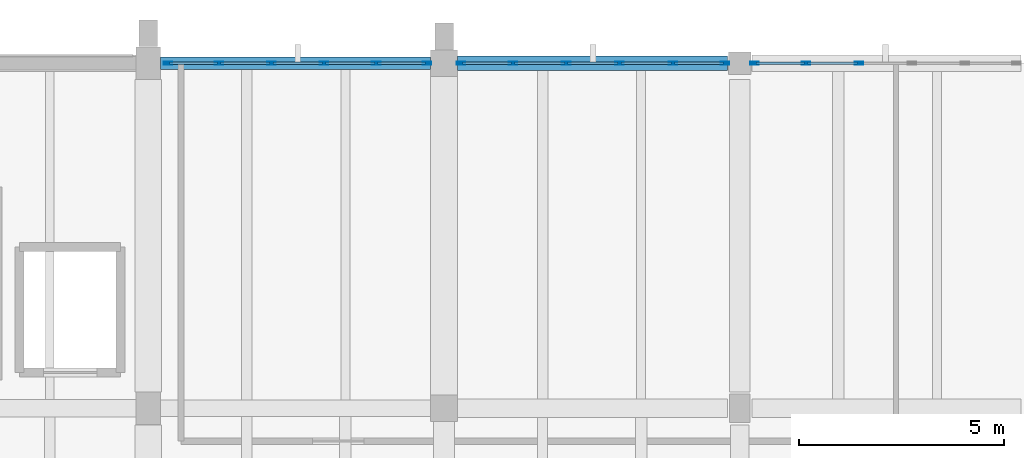
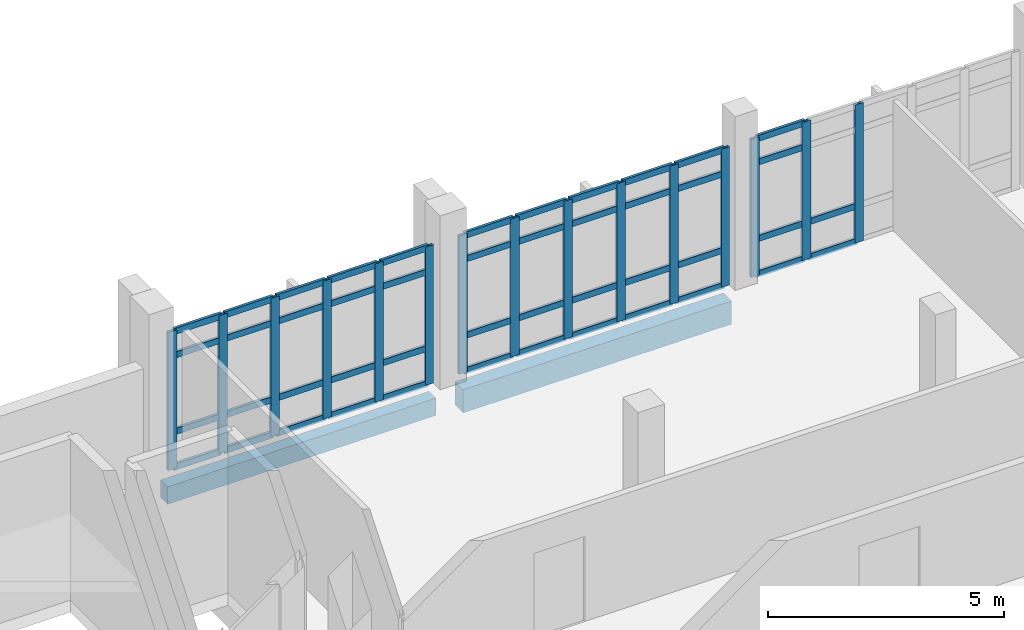
# One storey, part 36 of 57: 61 members, 2 beams, 3 elements without a shape of their own.
"""IFC4 building model written with IfcOpenShell, lengths in metres."""

import ifcopenshell
import ifcopenshell.guid

model = None  # the IFC model being written
_history = None  # IfcOwnerHistory: only IFC2X3 demands one
_inside = {}  # id of a spatial element -> (the spatial element, [elements in it])
_under = {}  # id of a project, library or spatial element -> (it, [spatial elements below it])
_declared = {}  # id of a project -> (the project, [libraries it declares])
_typed = {}  # id of a type object -> (the type object, [elements of that type])
_made_of = {}  # id of a material, layer set ... -> (it, [elements and type objects made of it])


def new_model(schema):
    """Start an empty IFC model of exactly this schema.

    Asked for "IFC4X3", IfcOpenShell would pick the latest addendum, in which some entities
    have other attributes; the version numbers below select the first issue.
    IFC2X3 requires an IfcOwnerHistory on every rooted entity: one is made here for all.
    """
    global model, _history
    if schema == "IFC4X3":
        model = ifcopenshell.file(schema_version=(4, 3, 0, 0))
    else:
        model = ifcopenshell.file(schema=schema)
    _inside.clear()
    _under.clear()
    _declared.clear()
    _typed.clear()
    _made_of.clear()
    _history = None
    if model.schema == "IFC2X3":
        org = make("IfcOrganization", Name="unknown")
        user = make(
            "IfcPersonAndOrganization",
            ThePerson=make("IfcPerson", FamilyName="unknown"),
            TheOrganization=org,
        )
        app = make(
            "IfcApplication",
            ApplicationDeveloper=org,
            Version="unknown",
            ApplicationFullName="unknown",
            ApplicationIdentifier="unknown",
        )
        _history = make(
            "IfcOwnerHistory",
            OwningUser=user,
            OwningApplication=app,
            ChangeAction="ADDED",
            CreationDate=0,
        )
    return model


def make(cls, **values):
    """One entity of the class cls with the attributes given. An attribute that is None is left unset."""
    return model.create_entity(
        cls, **{name: value for name, value in values.items() if value is not None}
    )


def rooted(cls, **values):
    """An entity with a GlobalId (a new one), such as an element, a storey or a relation."""
    return make(cls, GlobalId=ifcopenshell.guid.new(), OwnerHistory=_history, **values)


def si_unit(unit_type, name, prefix=None):
    """IfcSIUnit, for example si_unit("LENGTHUNIT", "METRE", prefix="MILLI")."""
    return make("IfcSIUnit", UnitType=unit_type, Prefix=prefix, Name=name)


def assignment(units):
    """IfcUnitAssignment: the units of a project."""
    return None if units is None else make("IfcUnitAssignment", Units=units)


def point(xyz):
    """IfcCartesianPoint."""
    return None if xyz is None else make("IfcCartesianPoint", Coordinates=xyz)


def direction(xyz):
    """IfcDirection."""
    return None if xyz is None else make("IfcDirection", DirectionRatios=xyz)


def frame(location, z_axis=None, x_axis=None):
    """IfcAxis2Placement3D, a coordinate frame: its origin and axes. An axis left out is left unset."""
    return make(
        "IfcAxis2Placement3D",
        Location=point(location),
        Axis=direction(z_axis),
        RefDirection=direction(x_axis),
    )


def frame_2d(location, x_axis=None):
    """IfcAxis2Placement2D, a coordinate frame in the plane: its origin and x axis."""
    return make(
        "IfcAxis2Placement2D", Location=point(location), RefDirection=direction(x_axis)
    )


def origin():
    """The frame at (0, 0, 0) with its axes left unset."""
    return frame((0.0, 0.0, 0.0))


def origin_2d():
    """The frame at (0, 0) in the plane with its x axis left unset."""
    return frame_2d((0.0, 0.0))


def place(relative_to, where):
    """IfcLocalPlacement: puts the frame where relative to a parent placement (None: the world)."""
    return make(
        "IfcLocalPlacement", PlacementRelTo=relative_to, RelativePlacement=where
    )


def context(
    kind, dimensions, precision=None, world=None, true_north=None, identifier=None
):
    """IfcGeometricRepresentationContext, for example the 3D "Model" context."""
    return make(
        "IfcGeometricRepresentationContext",
        ContextIdentifier=identifier,
        ContextType=kind,
        CoordinateSpaceDimension=dimensions,
        Precision=precision,
        WorldCoordinateSystem=world,
        TrueNorth=true_north,
    )


def subcontext(parent, identifier, kind, view, scale=None):
    """IfcGeometricRepresentationSubContext, for example "Body" below "Model"."""
    return make(
        "IfcGeometricRepresentationSubContext",
        ContextIdentifier=identifier,
        ContextType=kind,
        ParentContext=parent,
        TargetScale=scale,
        TargetView=view,
    )


def project(units=None, contexts=None):
    """IfcProject with its units and contexts."""
    return rooted(
        "IfcProject",
        Name="project",
        RepresentationContexts=contexts,
        UnitsInContext=assignment(units),
    )


def spatial(cls, under=None, at=None, **own):
    """A site, building, storey or space (cls), placed at a placement, below another one or the project."""
    s = rooted(cls, ObjectPlacement=at, **own)
    if under is not None:
        _under.setdefault(under.id(), (under, []))[1].append(s)
    return s


def profile(cls, at=None, kind="AREA", **sizes):
    """A parametric profile (cls). Its sizes go by their IFC names, for example OverallWidth=200.0."""
    return make(cls, ProfileType=kind, Position=at, **sizes)


def rectangle(**sizes):
    """IfcRectangleProfileDef."""
    return profile("IfcRectangleProfileDef", **sizes)


def hollow_rectangle(**sizes):
    """IfcRectangleHollowProfileDef."""
    return profile("IfcRectangleHollowProfileDef", **sizes)


def extrude(swept, where, along, depth):
    """IfcExtrudedAreaSolid: the profile swept, set in the frame where, extruded along a direction by depth."""
    return make(
        "IfcExtrudedAreaSolid",
        SweptArea=swept,
        Position=where,
        ExtrudedDirection=direction(along),
        Depth=depth,
    )


def shape(context_of_items, identifier, shape_type, items):
    """IfcShapeRepresentation: the items that make up one representation, for example the "Body"."""
    return make(
        "IfcShapeRepresentation",
        ContextOfItems=context_of_items,
        RepresentationIdentifier=identifier,
        RepresentationType=shape_type,
        Items=items,
    )


def material(Name=None, Category=None):
    """IfcMaterial."""
    return make("IfcMaterial", Name=Name, Category=Category)


def material_profile(
    of_material, cross_section, Name=None, Category=None, Priority=None
):
    """IfcMaterialProfile: a cross section and its material."""
    return make(
        "IfcMaterialProfile",
        Name=Name,
        Material=of_material,
        Profile=cross_section,
        Priority=Priority,
        Category=Category,
    )


def profile_set(profiles, Name=None, composite=None):
    """IfcMaterialProfileSet."""
    return make(
        "IfcMaterialProfileSet",
        Name=Name,
        MaterialProfiles=profiles,
        CompositeProfile=composite,
    )


def made_of(thing, what):
    """Note that an element or type object is made of a material, layer set ...; save() writes the relation."""
    if what is not None:
        _made_of.setdefault(what.id(), (what, []))[1].append(thing)
    return thing


def type_object(cls, material=None, **own):
    """A type object (cls), such as IfcWallType, which elements share."""
    return made_of(rooted(cls, **own), material)


def element(
    cls,
    number,
    at=None,
    inside=None,
    cuts=None,
    type_object=None,
    material=None,
    context=None,
    identifier="Body",
    shape_type=None,
    held_by="IfcProductDefinitionShape",
    body=None,
    shapes=None,
    **own,
):
    """One element of the class cls, such as IfcWall. Its Tag is "e" and its number.

    at: its placement. inside: the storey or other place that contains it. cuts: it is an
    opening in that element (IfcRelVoidsElement). A single representation is given by context,
    identifier, shape_type and body (its items); several are given by shapes. held_by: the class
    of the entity that holds the representations. save() writes the other relations.
    """
    e = rooted(cls, Tag="e%d" % number, ObjectPlacement=at, **own)
    if body is not None:
        shapes = [shape(context, identifier, shape_type, body)]
    if shapes is not None:
        e.Representation = make(held_by, Representations=shapes)
    if inside is not None:
        _inside.setdefault(inside.id(), (inside, []))[1].append(e)
    if cuts is not None:
        rooted(
            "IfcRelVoidsElement", RelatingBuildingElement=cuts, RelatedOpeningElement=e
        )
    if type_object is not None:
        _typed.setdefault(type_object.id(), (type_object, []))[1].append(e)
    return made_of(e, material)


def aggregate(whole, parts):
    """IfcRelAggregates: a whole, such as a stair, and the parts it consists of."""
    return rooted("IfcRelAggregates", RelatingObject=whole, RelatedObjects=parts)


def save(model, path):
    """Write the relations noted so far, then the file.

    IfcRelAggregates (storeys below a building ...), IfcRelContainedInSpatialStructure (elements
    in a storey), IfcRelDefinesByType, IfcRelAssociatesMaterial and IfcRelDeclares: one each for
    every whole, place, type object, material and project.
    """
    for whole, parts in _under.values():
        aggregate(whole, parts)
    for where, things in _inside.values():
        rooted(
            "IfcRelContainedInSpatialStructure",
            RelatedElements=things,
            RelatingStructure=where,
        )
    for kind, things in _typed.values():
        rooted("IfcRelDefinesByType", RelatedObjects=things, RelatingType=kind)
    for what, things in _made_of.values():
        rooted("IfcRelAssociatesMaterial", RelatedObjects=things, RelatingMaterial=what)
    for by, libraries in _declared.values():
        rooted("IfcRelDeclares", RelatingContext=by, RelatedDefinitions=libraries)
    model.write(path)


model = new_model("IFC4")

# Units and contexts
model_context = context("Model", 3, precision=1e-05, world=origin(), true_north=direction((0.0, 1.0)))
body_context = subcontext(model_context, "Body", "Model", "MODEL_VIEW")
ifc_project = project(units=[si_unit("LENGTHUNIT", "METRE"), si_unit("AREAUNIT", "SQUARE_METRE"), si_unit("VOLUMEUNIT", "CUBIC_METRE"), si_unit("PLANEANGLEUNIT", "RADIAN"), si_unit("MASSUNIT", "GRAM", prefix="KILO")], contexts=[model_context])

# Site, building, storey
site_placement = place(None, origin())
site = spatial("IfcSite", under=ifc_project, at=site_placement, CompositionType="ELEMENT")
building_placement = place(site_placement, origin())
building = spatial("IfcBuilding", under=site, at=building_placement, Name="Kalluvel Institute of Natural Sciences", CompositionType="ELEMENT")
storey_placement = place(building_placement, frame((0.0, 0.0, 23.39990234375)))
storey = spatial("IfcBuildingStorey", under=building, at=storey_placement, Name="L05", CompositionType="ELEMENT", Elevation=23.39990234375)

# Curtain wall, members
ifc_material_1 = material(Name="Aluminium AW-6063 T6", Category="aluminium")
curtain_wall_type = type_object("IfcCurtainWallType", Name="CW-WET-45", PredefinedType="USERDEFINED", material=ifc_material_1)
curtain_wall_1_placement = place(storey_placement, origin())
curtain_wall_1 = element("IfcCurtainWall", 1, at=curtain_wall_1_placement, inside=storey, type_object=curtain_wall_type, Name="L05 Gothic lancet curtain wall CWA-L05-X792-Y1280", ObjectType="UNITISED LANCET FACADE", PredefinedType="USERDEFINED")
ifc_material_profile_1 = material_profile(ifc_material_1, hollow_rectangle(XDim=0.070068359375, YDim=0.2099609375, WallThickness=0.0048828125, at=origin_2d()), Name="CWM 70x210")
ifc_profile_set_1 = profile_set([ifc_material_profile_1], Name="Aluminium AW-6063 T6")
member_type_1 = type_object("IfcMemberType", Name="CWM-70x210", PredefinedType="MULLION", material=ifc_profile_set_1)
member_1_placement = place(storey_placement, frame((79.284912109375, 128.0, 0.0), z_axis=(0.0, 0.0, 1.0), x_axis=(0.0, 1.0, 0.0)))
member_1 = element("IfcMember", 2, at=member_1_placement, type_object=member_type_1, Name="CW-01 mullion 1", PredefinedType="MULLION", context=body_context, shape_type="SweptSolid", body=[
    extrude(hollow_rectangle(XDim=0.070068359375, YDim=0.2099609375, WallThickness=0.0048828125, at=origin_2d()), origin(), (0.0, 0.0, 1.0), 3.580078125),
])
member_2_placement = place(storey_placement, frame((80.52490234375, 128.0, 0.0), z_axis=(0.0, 0.0, 1.0), x_axis=(0.0, 1.0, 0.0)))
member_2 = element("IfcMember", 3, at=member_2_placement, type_object=member_type_1, Name="CW-01 mullion 2", PredefinedType="MULLION", context=body_context, shape_type="SweptSolid", body=[
    extrude(hollow_rectangle(XDim=0.070068359375, YDim=0.2099609375, WallThickness=0.0048828125, at=origin_2d()), origin(), (0.0, 0.0, 1.0), 3.580078125),
])
member_3_placement = place(storey_placement, frame((81.800048828125, 128.0, 0.0), z_axis=(0.0, 0.0, 1.0), x_axis=(0.0, 1.0, 0.0)))
member_3 = element("IfcMember", 4, at=member_3_placement, type_object=member_type_1, Name="CW-01 mullion 3", PredefinedType="MULLION", context=body_context, shape_type="SweptSolid", body=[
    extrude(hollow_rectangle(XDim=0.070068359375, YDim=0.2099609375, WallThickness=0.0048828125, at=origin_2d()), origin(), (0.0, 0.0, 1.0), 3.580078125),
])
member_4_placement = place(storey_placement, frame((83.074951171875, 128.0, 0.0), z_axis=(0.0, 0.0, 1.0), x_axis=(0.0, 1.0, 0.0)))
member_4 = element("IfcMember", 5, at=member_4_placement, type_object=member_type_1, Name="CW-01 mullion 4", PredefinedType="MULLION", context=body_context, shape_type="SweptSolid", body=[
    extrude(hollow_rectangle(XDim=0.070068359375, YDim=0.2099609375, WallThickness=0.0048828125, at=origin_2d()), origin(), (0.0, 0.0, 1.0), 3.580078125),
])
member_5_placement = place(storey_placement, frame((84.35009765625, 128.0, 0.0), z_axis=(0.0, 0.0, 1.0), x_axis=(0.0, 1.0, 0.0)))
member_5 = element("IfcMember", 6, at=member_5_placement, type_object=member_type_1, Name="CW-01 mullion 5", PredefinedType="MULLION", context=body_context, shape_type="SweptSolid", body=[
    extrude(hollow_rectangle(XDim=0.070068359375, YDim=0.2099609375, WallThickness=0.0048828125, at=origin_2d()), origin(), (0.0, 0.0, 1.0), 3.580078125),
])
member_6_placement = place(storey_placement, frame((85.590087890625, 128.0, 0.0), z_axis=(0.0, 0.0, 1.0), x_axis=(0.0, 1.0, 0.0)))
member_6 = element("IfcMember", 7, at=member_6_placement, type_object=member_type_1, Name="CW-01 mullion 6", PredefinedType="MULLION", context=body_context, shape_type="SweptSolid", body=[
    extrude(hollow_rectangle(XDim=0.070068359375, YDim=0.2099609375, WallThickness=0.0048828125, at=origin_2d()), origin(), (0.0, 0.0, 1.0), 3.580078125),
])

curtain_wall_2_placement = place(storey_placement, origin())
curtain_wall_2 = element("IfcCurtainWall", 8, at=curtain_wall_2_placement, inside=storey, type_object=curtain_wall_type, Name="L05 Gothic lancet curtain wall CWA-L05-X864-Y1280", ObjectType="UNITISED LANCET FACADE", PredefinedType="USERDEFINED")
member_7_placement = place(storey_placement, frame((86.409912109375, 128.0, 0.0), z_axis=(0.0, 0.0, 1.0), x_axis=(0.0, 1.0, 0.0)))
member_7 = element("IfcMember", 9, at=member_7_placement, type_object=member_type_1, Name="CW-01 mullion 1", PredefinedType="MULLION", context=body_context, shape_type="SweptSolid", body=[
    extrude(hollow_rectangle(XDim=0.070068359375, YDim=0.2099609375, WallThickness=0.0048828125, at=origin_2d()), origin(), (0.0, 0.0, 1.0), 3.580078125),
])
member_8_placement = place(storey_placement, frame((87.675048828125, 128.0, 0.0), z_axis=(0.0, 0.0, 1.0), x_axis=(0.0, 1.0, 0.0)))
member_8 = element("IfcMember", 10, at=member_8_placement, type_object=member_type_1, Name="CW-01 mullion 2", PredefinedType="MULLION", context=body_context, shape_type="SweptSolid", body=[
    extrude(hollow_rectangle(XDim=0.070068359375, YDim=0.2099609375, WallThickness=0.0048828125, at=origin_2d()), origin(), (0.0, 0.0, 1.0), 3.580078125),
])
member_9_placement = place(storey_placement, frame((88.97509765625, 128.0, 0.0), z_axis=(0.0, 0.0, 1.0), x_axis=(0.0, 1.0, 0.0)))
member_9 = element("IfcMember", 11, at=member_9_placement, type_object=member_type_1, Name="CW-01 mullion 3", PredefinedType="MULLION", context=body_context, shape_type="SweptSolid", body=[
    extrude(hollow_rectangle(XDim=0.070068359375, YDim=0.2099609375, WallThickness=0.0048828125, at=origin_2d()), origin(), (0.0, 0.0, 1.0), 3.580078125),
])
member_10_placement = place(storey_placement, frame((90.27490234375, 128.0, 0.0), z_axis=(0.0, 0.0, 1.0), x_axis=(0.0, 1.0, 0.0)))
member_10 = element("IfcMember", 12, at=member_10_placement, type_object=member_type_1, Name="CW-01 mullion 4", PredefinedType="MULLION", context=body_context, shape_type="SweptSolid", body=[
    extrude(hollow_rectangle(XDim=0.070068359375, YDim=0.2099609375, WallThickness=0.0048828125, at=origin_2d()), origin(), (0.0, 0.0, 1.0), 3.580078125),
])
member_11_placement = place(storey_placement, frame((91.574951171875, 128.0, 0.0), z_axis=(0.0, 0.0, 1.0), x_axis=(0.0, 1.0, 0.0)))
member_11 = element("IfcMember", 13, at=member_11_placement, type_object=member_type_1, Name="CW-01 mullion 5", PredefinedType="MULLION", context=body_context, shape_type="SweptSolid", body=[
    extrude(hollow_rectangle(XDim=0.070068359375, YDim=0.2099609375, WallThickness=0.0048828125, at=origin_2d()), origin(), (0.0, 0.0, 1.0), 3.580078125),
])
member_12_placement = place(storey_placement, frame((92.840087890625, 128.0, 0.0), z_axis=(0.0, 0.0, 1.0), x_axis=(0.0, 1.0, 0.0)))
member_12 = element("IfcMember", 14, at=member_12_placement, type_object=member_type_1, Name="CW-01 mullion 6", PredefinedType="MULLION", context=body_context, shape_type="SweptSolid", body=[
    extrude(hollow_rectangle(XDim=0.070068359375, YDim=0.2099609375, WallThickness=0.0048828125, at=origin_2d()), origin(), (0.0, 0.0, 1.0), 3.580078125),
])

curtain_wall_3_placement = place(storey_placement, origin())
curtain_wall_3 = element("IfcCurtainWall", 15, at=curtain_wall_3_placement, inside=storey, type_object=curtain_wall_type, Name="L05 Gothic lancet curtain wall CWA-L05-X935-Y1280", ObjectType="UNITISED LANCET FACADE", PredefinedType="USERDEFINED")
member_13_placement = place(storey_placement, frame((93.56005859375, 128.0, 0.0), z_axis=(0.0, 0.0, 1.0), x_axis=(0.0, 1.0, 0.0)))
member_13 = element("IfcMember", 16, at=member_13_placement, type_object=member_type_1, Name="CW-01 mullion 1", PredefinedType="MULLION", context=body_context, shape_type="SweptSolid", body=[
    extrude(hollow_rectangle(XDim=0.070068359375, YDim=0.2099609375, WallThickness=0.0048828125, at=origin_2d()), origin(), (0.0, 0.0, 1.0), 3.580078125),
])
member_14_placement = place(storey_placement, frame((94.81494140625, 128.0, 0.0), z_axis=(0.0, 0.0, 1.0), x_axis=(0.0, 1.0, 0.0)))
member_14 = element("IfcMember", 17, at=member_14_placement, type_object=member_type_1, Name="CW-01 mullion 2", PredefinedType="MULLION", context=body_context, shape_type="SweptSolid", body=[
    extrude(hollow_rectangle(XDim=0.070068359375, YDim=0.2099609375, WallThickness=0.0048828125, at=origin_2d()), origin(), (0.0, 0.0, 1.0), 3.580078125),
])
member_15_placement = place(storey_placement, frame((96.10498046875, 128.0, 0.0), z_axis=(0.0, 0.0, 1.0), x_axis=(0.0, 1.0, 0.0)))
member_15 = element("IfcMember", 18, at=member_15_placement, type_object=member_type_1, Name="CW-01 mullion 3", PredefinedType="MULLION", context=body_context, shape_type="SweptSolid", body=[
    extrude(hollow_rectangle(XDim=0.070068359375, YDim=0.2099609375, WallThickness=0.0048828125, at=origin_2d()), origin(), (0.0, 0.0, 1.0), 3.580078125),
])

# Member
ifc_material_profile_2 = material_profile(ifc_material_1, hollow_rectangle(XDim=0.070068359375, YDim=0.159912109375, WallThickness=0.0048828125, at=origin_2d()), Name="CWT 70x160")
ifc_profile_set_2 = profile_set([ifc_material_profile_2], Name="Aluminium AW-6063 T6")
member_type_2 = type_object("IfcMemberType", Name="CWT-70x160", PredefinedType="USERDEFINED", material=ifc_profile_set_2)
member_16_placement = place(storey_placement, frame((79.320068359375, 128.0, 0.03515625), z_axis=(1.0, 0.0, 0.0), x_axis=(0.0, 1.0, 0.0)))
member_16 = element("IfcMember", 19, at=member_16_placement, type_object=member_type_2, Name="CW-01 transom 1.1", ObjectType="TRANSOM", PredefinedType="USERDEFINED", context=body_context, shape_type="SweptSolid", body=[
    extrude(hollow_rectangle(XDim=0.070068359375, YDim=0.159912109375, WallThickness=0.0048828125, at=origin_2d()), origin(), (0.0, 0.0, 1.0), 1.169921875),
])

member_17_placement = place(storey_placement, frame((79.320068359375, 128.0, 0.9501953125), z_axis=(1.0, 0.0, 0.0), x_axis=(0.0, 1.0, 0.0)))
member_17 = element("IfcMember", 20, at=member_17_placement, type_object=member_type_2, Name="CW-01 transom 1.2", ObjectType="TRANSOM", PredefinedType="USERDEFINED", context=body_context, shape_type="SweptSolid", body=[
    extrude(hollow_rectangle(XDim=0.070068359375, YDim=0.159912109375, WallThickness=0.0048828125, at=origin_2d()), origin(), (0.0, 0.0, 1.0), 1.169921875),
])

member_18_placement = place(storey_placement, frame((79.320068359375, 128.0, 2.93017578125), z_axis=(1.0, 0.0, 0.0), x_axis=(0.0, 1.0, 0.0)))
member_18 = element("IfcMember", 21, at=member_18_placement, type_object=member_type_2, Name="CW-01 transom 1.3", ObjectType="TRANSOM", PredefinedType="USERDEFINED", context=body_context, shape_type="SweptSolid", body=[
    extrude(hollow_rectangle(XDim=0.070068359375, YDim=0.159912109375, WallThickness=0.0048828125, at=origin_2d()), origin(), (0.0, 0.0, 1.0), 1.169921875),
])

member_19_placement = place(storey_placement, frame((79.320068359375, 128.0, 3.545166015625), z_axis=(1.0, 0.0, 0.0), x_axis=(0.0, 1.0, 0.0)))
member_19 = element("IfcMember", 22, at=member_19_placement, type_object=member_type_2, Name="CW-01 transom 1.4", ObjectType="TRANSOM", PredefinedType="USERDEFINED", context=body_context, shape_type="SweptSolid", body=[
    extrude(hollow_rectangle(XDim=0.070068359375, YDim=0.159912109375, WallThickness=0.0048828125, at=origin_2d()), origin(), (0.0, 0.0, 1.0), 1.169921875),
])

member_20_placement = place(storey_placement, frame((80.56005859375, 128.0, 0.03515625), z_axis=(1.0, 0.0, 0.0), x_axis=(0.0, 1.0, 0.0)))
member_20 = element("IfcMember", 23, at=member_20_placement, type_object=member_type_2, Name="CW-01 transom 2.1", ObjectType="TRANSOM", PredefinedType="USERDEFINED", context=body_context, shape_type="SweptSolid", body=[
    extrude(hollow_rectangle(XDim=0.070068359375, YDim=0.159912109375, WallThickness=0.0048828125, at=origin_2d()), origin(), (0.0, 0.0, 1.0), 1.204833984375),
])

member_21_placement = place(storey_placement, frame((80.56005859375, 128.0, 0.9501953125), z_axis=(1.0, 0.0, 0.0), x_axis=(0.0, 1.0, 0.0)))
member_21 = element("IfcMember", 24, at=member_21_placement, type_object=member_type_2, Name="CW-01 transom 2.2", ObjectType="TRANSOM", PredefinedType="USERDEFINED", context=body_context, shape_type="SweptSolid", body=[
    extrude(hollow_rectangle(XDim=0.070068359375, YDim=0.159912109375, WallThickness=0.0048828125, at=origin_2d()), origin(), (0.0, 0.0, 1.0), 1.204833984375),
])

member_22_placement = place(storey_placement, frame((80.56005859375, 128.0, 2.93017578125), z_axis=(1.0, 0.0, 0.0), x_axis=(0.0, 1.0, 0.0)))
member_22 = element("IfcMember", 25, at=member_22_placement, type_object=member_type_2, Name="CW-01 transom 2.3", ObjectType="TRANSOM", PredefinedType="USERDEFINED", context=body_context, shape_type="SweptSolid", body=[
    extrude(hollow_rectangle(XDim=0.070068359375, YDim=0.159912109375, WallThickness=0.0048828125, at=origin_2d()), origin(), (0.0, 0.0, 1.0), 1.204833984375),
])

member_23_placement = place(storey_placement, frame((80.56005859375, 128.0, 3.545166015625), z_axis=(1.0, 0.0, 0.0), x_axis=(0.0, 1.0, 0.0)))
member_23 = element("IfcMember", 26, at=member_23_placement, type_object=member_type_2, Name="CW-01 transom 2.4", ObjectType="TRANSOM", PredefinedType="USERDEFINED", context=body_context, shape_type="SweptSolid", body=[
    extrude(hollow_rectangle(XDim=0.070068359375, YDim=0.159912109375, WallThickness=0.0048828125, at=origin_2d()), origin(), (0.0, 0.0, 1.0), 1.204833984375),
])

member_24_placement = place(storey_placement, frame((81.8349609375, 128.0, 0.03515625), z_axis=(1.0, 0.0, 0.0), x_axis=(0.0, 1.0, 0.0)))
member_24 = element("IfcMember", 27, at=member_24_placement, type_object=member_type_2, Name="CW-01 transom 3.1", ObjectType="TRANSOM", PredefinedType="USERDEFINED", context=body_context, shape_type="SweptSolid", body=[
    extrude(hollow_rectangle(XDim=0.070068359375, YDim=0.159912109375, WallThickness=0.0048828125, at=origin_2d()), origin(), (0.0, 0.0, 1.0), 1.205078125),
])

member_25_placement = place(storey_placement, frame((81.8349609375, 128.0, 0.9501953125), z_axis=(1.0, 0.0, 0.0), x_axis=(0.0, 1.0, 0.0)))
member_25 = element("IfcMember", 28, at=member_25_placement, type_object=member_type_2, Name="CW-01 transom 3.2", ObjectType="TRANSOM", PredefinedType="USERDEFINED", context=body_context, shape_type="SweptSolid", body=[
    extrude(hollow_rectangle(XDim=0.070068359375, YDim=0.159912109375, WallThickness=0.0048828125, at=origin_2d()), origin(), (0.0, 0.0, 1.0), 1.205078125),
])

member_26_placement = place(storey_placement, frame((81.8349609375, 128.0, 2.93017578125), z_axis=(1.0, 0.0, 0.0), x_axis=(0.0, 1.0, 0.0)))
member_26 = element("IfcMember", 29, at=member_26_placement, type_object=member_type_2, Name="CW-01 transom 3.3", ObjectType="TRANSOM", PredefinedType="USERDEFINED", context=body_context, shape_type="SweptSolid", body=[
    extrude(hollow_rectangle(XDim=0.070068359375, YDim=0.159912109375, WallThickness=0.0048828125, at=origin_2d()), origin(), (0.0, 0.0, 1.0), 1.205078125),
])

member_27_placement = place(storey_placement, frame((81.8349609375, 128.0, 3.545166015625), z_axis=(1.0, 0.0, 0.0), x_axis=(0.0, 1.0, 0.0)))
member_27 = element("IfcMember", 30, at=member_27_placement, type_object=member_type_2, Name="CW-01 transom 3.4", ObjectType="TRANSOM", PredefinedType="USERDEFINED", context=body_context, shape_type="SweptSolid", body=[
    extrude(hollow_rectangle(XDim=0.070068359375, YDim=0.159912109375, WallThickness=0.0048828125, at=origin_2d()), origin(), (0.0, 0.0, 1.0), 1.205078125),
])

member_28_placement = place(storey_placement, frame((83.110107421875, 128.0, 0.03515625), z_axis=(1.0, 0.0, 0.0), x_axis=(0.0, 1.0, 0.0)))
member_28 = element("IfcMember", 31, at=member_28_placement, type_object=member_type_2, Name="CW-01 transom 4.1", ObjectType="TRANSOM", PredefinedType="USERDEFINED", context=body_context, shape_type="SweptSolid", body=[
    extrude(hollow_rectangle(XDim=0.070068359375, YDim=0.159912109375, WallThickness=0.0048828125, at=origin_2d()), origin(), (0.0, 0.0, 1.0), 1.204833984375),
])

member_29_placement = place(storey_placement, frame((83.110107421875, 128.0, 0.9501953125), z_axis=(1.0, 0.0, 0.0), x_axis=(0.0, 1.0, 0.0)))
member_29 = element("IfcMember", 32, at=member_29_placement, type_object=member_type_2, Name="CW-01 transom 4.2", ObjectType="TRANSOM", PredefinedType="USERDEFINED", context=body_context, shape_type="SweptSolid", body=[
    extrude(hollow_rectangle(XDim=0.070068359375, YDim=0.159912109375, WallThickness=0.0048828125, at=origin_2d()), origin(), (0.0, 0.0, 1.0), 1.204833984375),
])

member_30_placement = place(storey_placement, frame((83.110107421875, 128.0, 2.93017578125), z_axis=(1.0, 0.0, 0.0), x_axis=(0.0, 1.0, 0.0)))
member_30 = element("IfcMember", 33, at=member_30_placement, type_object=member_type_2, Name="CW-01 transom 4.3", ObjectType="TRANSOM", PredefinedType="USERDEFINED", context=body_context, shape_type="SweptSolid", body=[
    extrude(hollow_rectangle(XDim=0.070068359375, YDim=0.159912109375, WallThickness=0.0048828125, at=origin_2d()), origin(), (0.0, 0.0, 1.0), 1.204833984375),
])

member_31_placement = place(storey_placement, frame((83.110107421875, 128.0, 3.545166015625), z_axis=(1.0, 0.0, 0.0), x_axis=(0.0, 1.0, 0.0)))
member_31 = element("IfcMember", 34, at=member_31_placement, type_object=member_type_2, Name="CW-01 transom 4.4", ObjectType="TRANSOM", PredefinedType="USERDEFINED", context=body_context, shape_type="SweptSolid", body=[
    extrude(hollow_rectangle(XDim=0.070068359375, YDim=0.159912109375, WallThickness=0.0048828125, at=origin_2d()), origin(), (0.0, 0.0, 1.0), 1.204833984375),
])

member_32_placement = place(storey_placement, frame((84.385009765625, 128.0, 0.03515625), z_axis=(1.0, 0.0, 0.0), x_axis=(0.0, 1.0, 0.0)))
member_32 = element("IfcMember", 35, at=member_32_placement, type_object=member_type_2, Name="CW-01 transom 5.1", ObjectType="TRANSOM", PredefinedType="USERDEFINED", context=body_context, shape_type="SweptSolid", body=[
    extrude(hollow_rectangle(XDim=0.070068359375, YDim=0.159912109375, WallThickness=0.0048828125, at=origin_2d()), origin(), (0.0, 0.0, 1.0), 1.169921875),
])

member_33_placement = place(storey_placement, frame((84.385009765625, 128.0, 0.9501953125), z_axis=(1.0, 0.0, 0.0), x_axis=(0.0, 1.0, 0.0)))
member_33 = element("IfcMember", 36, at=member_33_placement, type_object=member_type_2, Name="CW-01 transom 5.2", ObjectType="TRANSOM", PredefinedType="USERDEFINED", context=body_context, shape_type="SweptSolid", body=[
    extrude(hollow_rectangle(XDim=0.070068359375, YDim=0.159912109375, WallThickness=0.0048828125, at=origin_2d()), origin(), (0.0, 0.0, 1.0), 1.169921875),
])

member_34_placement = place(storey_placement, frame((84.385009765625, 128.0, 2.93017578125), z_axis=(1.0, 0.0, 0.0), x_axis=(0.0, 1.0, 0.0)))
member_34 = element("IfcMember", 37, at=member_34_placement, type_object=member_type_2, Name="CW-01 transom 5.3", ObjectType="TRANSOM", PredefinedType="USERDEFINED", context=body_context, shape_type="SweptSolid", body=[
    extrude(hollow_rectangle(XDim=0.070068359375, YDim=0.159912109375, WallThickness=0.0048828125, at=origin_2d()), origin(), (0.0, 0.0, 1.0), 1.169921875),
])

member_35_placement = place(storey_placement, frame((84.385009765625, 128.0, 3.545166015625), z_axis=(1.0, 0.0, 0.0), x_axis=(0.0, 1.0, 0.0)))
member_35 = element("IfcMember", 38, at=member_35_placement, type_object=member_type_2, Name="CW-01 transom 5.4", ObjectType="TRANSOM", PredefinedType="USERDEFINED", context=body_context, shape_type="SweptSolid", body=[
    extrude(hollow_rectangle(XDim=0.070068359375, YDim=0.159912109375, WallThickness=0.0048828125, at=origin_2d()), origin(), (0.0, 0.0, 1.0), 1.169921875),
])

aggregate(curtain_wall_1, [member_1, member_2, member_3, member_4, member_5, member_6, member_16, member_17, member_18, member_19, member_20, member_21, member_22, member_23, member_24, member_25, member_26, member_27, member_28, member_29, member_30, member_31, member_32, member_33, member_34, member_35])

member_36_placement = place(storey_placement, frame((86.445068359375, 128.0, 0.03515625), z_axis=(1.0, 0.0, 0.0), x_axis=(0.0, 1.0, 0.0)))
member_36 = element("IfcMember", 39, at=member_36_placement, type_object=member_type_2, Name="CW-01 transom 1.1", ObjectType="TRANSOM", PredefinedType="USERDEFINED", context=body_context, shape_type="SweptSolid", body=[
    extrude(hollow_rectangle(XDim=0.070068359375, YDim=0.159912109375, WallThickness=0.0048828125, at=origin_2d()), origin(), (0.0, 0.0, 1.0), 1.19482421875),
])

member_37_placement = place(storey_placement, frame((86.445068359375, 128.0, 0.9501953125), z_axis=(1.0, 0.0, 0.0), x_axis=(0.0, 1.0, 0.0)))
member_37 = element("IfcMember", 40, at=member_37_placement, type_object=member_type_2, Name="CW-01 transom 1.2", ObjectType="TRANSOM", PredefinedType="USERDEFINED", context=body_context, shape_type="SweptSolid", body=[
    extrude(hollow_rectangle(XDim=0.070068359375, YDim=0.159912109375, WallThickness=0.0048828125, at=origin_2d()), origin(), (0.0, 0.0, 1.0), 1.19482421875),
])

member_38_placement = place(storey_placement, frame((86.445068359375, 128.0, 2.93017578125), z_axis=(1.0, 0.0, 0.0), x_axis=(0.0, 1.0, 0.0)))
member_38 = element("IfcMember", 41, at=member_38_placement, type_object=member_type_2, Name="CW-01 transom 1.3", ObjectType="TRANSOM", PredefinedType="USERDEFINED", context=body_context, shape_type="SweptSolid", body=[
    extrude(hollow_rectangle(XDim=0.070068359375, YDim=0.159912109375, WallThickness=0.0048828125, at=origin_2d()), origin(), (0.0, 0.0, 1.0), 1.19482421875),
])

member_39_placement = place(storey_placement, frame((86.445068359375, 128.0, 3.545166015625), z_axis=(1.0, 0.0, 0.0), x_axis=(0.0, 1.0, 0.0)))
member_39 = element("IfcMember", 42, at=member_39_placement, type_object=member_type_2, Name="CW-01 transom 1.4", ObjectType="TRANSOM", PredefinedType="USERDEFINED", context=body_context, shape_type="SweptSolid", body=[
    extrude(hollow_rectangle(XDim=0.070068359375, YDim=0.159912109375, WallThickness=0.0048828125, at=origin_2d()), origin(), (0.0, 0.0, 1.0), 1.19482421875),
])

member_40_placement = place(storey_placement, frame((87.7099609375, 128.0, 0.03515625), z_axis=(1.0, 0.0, 0.0), x_axis=(0.0, 1.0, 0.0)))
member_40 = element("IfcMember", 43, at=member_40_placement, type_object=member_type_2, Name="CW-01 transom 2.1", ObjectType="TRANSOM", PredefinedType="USERDEFINED", context=body_context, shape_type="SweptSolid", body=[
    extrude(hollow_rectangle(XDim=0.070068359375, YDim=0.159912109375, WallThickness=0.0048828125, at=origin_2d()), origin(), (0.0, 0.0, 1.0), 1.22998046875),
])

member_41_placement = place(storey_placement, frame((87.7099609375, 128.0, 0.9501953125), z_axis=(1.0, 0.0, 0.0), x_axis=(0.0, 1.0, 0.0)))
member_41 = element("IfcMember", 44, at=member_41_placement, type_object=member_type_2, Name="CW-01 transom 2.2", ObjectType="TRANSOM", PredefinedType="USERDEFINED", context=body_context, shape_type="SweptSolid", body=[
    extrude(hollow_rectangle(XDim=0.070068359375, YDim=0.159912109375, WallThickness=0.0048828125, at=origin_2d()), origin(), (0.0, 0.0, 1.0), 1.22998046875),
])

member_42_placement = place(storey_placement, frame((87.7099609375, 128.0, 2.93017578125), z_axis=(1.0, 0.0, 0.0), x_axis=(0.0, 1.0, 0.0)))
member_42 = element("IfcMember", 45, at=member_42_placement, type_object=member_type_2, Name="CW-01 transom 2.3", ObjectType="TRANSOM", PredefinedType="USERDEFINED", context=body_context, shape_type="SweptSolid", body=[
    extrude(hollow_rectangle(XDim=0.070068359375, YDim=0.159912109375, WallThickness=0.0048828125, at=origin_2d()), origin(), (0.0, 0.0, 1.0), 1.22998046875),
])

member_43_placement = place(storey_placement, frame((87.7099609375, 128.0, 3.545166015625), z_axis=(1.0, 0.0, 0.0), x_axis=(0.0, 1.0, 0.0)))
member_43 = element("IfcMember", 46, at=member_43_placement, type_object=member_type_2, Name="CW-01 transom 2.4", ObjectType="TRANSOM", PredefinedType="USERDEFINED", context=body_context, shape_type="SweptSolid", body=[
    extrude(hollow_rectangle(XDim=0.070068359375, YDim=0.159912109375, WallThickness=0.0048828125, at=origin_2d()), origin(), (0.0, 0.0, 1.0), 1.22998046875),
])

member_44_placement = place(storey_placement, frame((89.010009765625, 128.0, 0.03515625), z_axis=(1.0, 0.0, 0.0), x_axis=(0.0, 1.0, 0.0)))
member_44 = element("IfcMember", 47, at=member_44_placement, type_object=member_type_2, Name="CW-01 transom 3.1", ObjectType="TRANSOM", PredefinedType="USERDEFINED", context=body_context, shape_type="SweptSolid", body=[
    extrude(hollow_rectangle(XDim=0.070068359375, YDim=0.159912109375, WallThickness=0.0048828125, at=origin_2d()), origin(), (0.0, 0.0, 1.0), 1.22998046875),
])

member_45_placement = place(storey_placement, frame((89.010009765625, 128.0, 0.9501953125), z_axis=(1.0, 0.0, 0.0), x_axis=(0.0, 1.0, 0.0)))
member_45 = element("IfcMember", 48, at=member_45_placement, type_object=member_type_2, Name="CW-01 transom 3.2", ObjectType="TRANSOM", PredefinedType="USERDEFINED", context=body_context, shape_type="SweptSolid", body=[
    extrude(hollow_rectangle(XDim=0.070068359375, YDim=0.159912109375, WallThickness=0.0048828125, at=origin_2d()), origin(), (0.0, 0.0, 1.0), 1.22998046875),
])

member_46_placement = place(storey_placement, frame((89.010009765625, 128.0, 2.93017578125), z_axis=(1.0, 0.0, 0.0), x_axis=(0.0, 1.0, 0.0)))
member_46 = element("IfcMember", 49, at=member_46_placement, type_object=member_type_2, Name="CW-01 transom 3.3", ObjectType="TRANSOM", PredefinedType="USERDEFINED", context=body_context, shape_type="SweptSolid", body=[
    extrude(hollow_rectangle(XDim=0.070068359375, YDim=0.159912109375, WallThickness=0.0048828125, at=origin_2d()), origin(), (0.0, 0.0, 1.0), 1.22998046875),
])

member_47_placement = place(storey_placement, frame((89.010009765625, 128.0, 3.545166015625), z_axis=(1.0, 0.0, 0.0), x_axis=(0.0, 1.0, 0.0)))
member_47 = element("IfcMember", 50, at=member_47_placement, type_object=member_type_2, Name="CW-01 transom 3.4", ObjectType="TRANSOM", PredefinedType="USERDEFINED", context=body_context, shape_type="SweptSolid", body=[
    extrude(hollow_rectangle(XDim=0.070068359375, YDim=0.159912109375, WallThickness=0.0048828125, at=origin_2d()), origin(), (0.0, 0.0, 1.0), 1.22998046875),
])

member_48_placement = place(storey_placement, frame((90.31005859375, 128.0, 0.03515625), z_axis=(1.0, 0.0, 0.0), x_axis=(0.0, 1.0, 0.0)))
member_48 = element("IfcMember", 51, at=member_48_placement, type_object=member_type_2, Name="CW-01 transom 4.1", ObjectType="TRANSOM", PredefinedType="USERDEFINED", context=body_context, shape_type="SweptSolid", body=[
    extrude(hollow_rectangle(XDim=0.070068359375, YDim=0.159912109375, WallThickness=0.0048828125, at=origin_2d()), origin(), (0.0, 0.0, 1.0), 1.22998046875),
])

member_49_placement = place(storey_placement, frame((90.31005859375, 128.0, 0.9501953125), z_axis=(1.0, 0.0, 0.0), x_axis=(0.0, 1.0, 0.0)))
member_49 = element("IfcMember", 52, at=member_49_placement, type_object=member_type_2, Name="CW-01 transom 4.2", ObjectType="TRANSOM", PredefinedType="USERDEFINED", context=body_context, shape_type="SweptSolid", body=[
    extrude(hollow_rectangle(XDim=0.070068359375, YDim=0.159912109375, WallThickness=0.0048828125, at=origin_2d()), origin(), (0.0, 0.0, 1.0), 1.22998046875),
])

member_50_placement = place(storey_placement, frame((90.31005859375, 128.0, 2.93017578125), z_axis=(1.0, 0.0, 0.0), x_axis=(0.0, 1.0, 0.0)))
member_50 = element("IfcMember", 53, at=member_50_placement, type_object=member_type_2, Name="CW-01 transom 4.3", ObjectType="TRANSOM", PredefinedType="USERDEFINED", context=body_context, shape_type="SweptSolid", body=[
    extrude(hollow_rectangle(XDim=0.070068359375, YDim=0.159912109375, WallThickness=0.0048828125, at=origin_2d()), origin(), (0.0, 0.0, 1.0), 1.22998046875),
])

member_51_placement = place(storey_placement, frame((90.31005859375, 128.0, 3.545166015625), z_axis=(1.0, 0.0, 0.0), x_axis=(0.0, 1.0, 0.0)))
member_51 = element("IfcMember", 54, at=member_51_placement, type_object=member_type_2, Name="CW-01 transom 4.4", ObjectType="TRANSOM", PredefinedType="USERDEFINED", context=body_context, shape_type="SweptSolid", body=[
    extrude(hollow_rectangle(XDim=0.070068359375, YDim=0.159912109375, WallThickness=0.0048828125, at=origin_2d()), origin(), (0.0, 0.0, 1.0), 1.22998046875),
])

member_52_placement = place(storey_placement, frame((91.610107421875, 128.0, 0.03515625), z_axis=(1.0, 0.0, 0.0), x_axis=(0.0, 1.0, 0.0)))
member_52 = element("IfcMember", 55, at=member_52_placement, type_object=member_type_2, Name="CW-01 transom 5.1", ObjectType="TRANSOM", PredefinedType="USERDEFINED", context=body_context, shape_type="SweptSolid", body=[
    extrude(hollow_rectangle(XDim=0.070068359375, YDim=0.159912109375, WallThickness=0.0048828125, at=origin_2d()), origin(), (0.0, 0.0, 1.0), 1.19482421875),
])

member_53_placement = place(storey_placement, frame((91.610107421875, 128.0, 0.9501953125), z_axis=(1.0, 0.0, 0.0), x_axis=(0.0, 1.0, 0.0)))
member_53 = element("IfcMember", 56, at=member_53_placement, type_object=member_type_2, Name="CW-01 transom 5.2", ObjectType="TRANSOM", PredefinedType="USERDEFINED", context=body_context, shape_type="SweptSolid", body=[
    extrude(hollow_rectangle(XDim=0.070068359375, YDim=0.159912109375, WallThickness=0.0048828125, at=origin_2d()), origin(), (0.0, 0.0, 1.0), 1.19482421875),
])

member_54_placement = place(storey_placement, frame((91.610107421875, 128.0, 2.93017578125), z_axis=(1.0, 0.0, 0.0), x_axis=(0.0, 1.0, 0.0)))
member_54 = element("IfcMember", 57, at=member_54_placement, type_object=member_type_2, Name="CW-01 transom 5.3", ObjectType="TRANSOM", PredefinedType="USERDEFINED", context=body_context, shape_type="SweptSolid", body=[
    extrude(hollow_rectangle(XDim=0.070068359375, YDim=0.159912109375, WallThickness=0.0048828125, at=origin_2d()), origin(), (0.0, 0.0, 1.0), 1.19482421875),
])

member_55_placement = place(storey_placement, frame((91.610107421875, 128.0, 3.545166015625), z_axis=(1.0, 0.0, 0.0), x_axis=(0.0, 1.0, 0.0)))
member_55 = element("IfcMember", 58, at=member_55_placement, type_object=member_type_2, Name="CW-01 transom 5.4", ObjectType="TRANSOM", PredefinedType="USERDEFINED", context=body_context, shape_type="SweptSolid", body=[
    extrude(hollow_rectangle(XDim=0.070068359375, YDim=0.159912109375, WallThickness=0.0048828125, at=origin_2d()), origin(), (0.0, 0.0, 1.0), 1.19482421875),
])

aggregate(curtain_wall_2, [member_7, member_8, member_9, member_10, member_11, member_12, member_36, member_37, member_38, member_39, member_40, member_41, member_42, member_43, member_44, member_45, member_46, member_47, member_48, member_49, member_50, member_51, member_52, member_53, member_54, member_55])

member_56_placement = place(storey_placement, frame((93.594970703125, 128.0, 0.03515625), z_axis=(1.0, 0.0, 0.0), x_axis=(0.0, 1.0, 0.0)))
member_56 = element("IfcMember", 59, at=member_56_placement, type_object=member_type_2, Name="CW-01 transom 1.1", ObjectType="TRANSOM", PredefinedType="USERDEFINED", context=body_context, shape_type="SweptSolid", body=[
    extrude(hollow_rectangle(XDim=0.070068359375, YDim=0.159912109375, WallThickness=0.0048828125, at=origin_2d()), origin(), (0.0, 0.0, 1.0), 1.18505859375),
])

member_57_placement = place(storey_placement, frame((93.594970703125, 128.0, 0.9501953125), z_axis=(1.0, 0.0, 0.0), x_axis=(0.0, 1.0, 0.0)))
member_57 = element("IfcMember", 60, at=member_57_placement, type_object=member_type_2, Name="CW-01 transom 1.2", ObjectType="TRANSOM", PredefinedType="USERDEFINED", context=body_context, shape_type="SweptSolid", body=[
    extrude(hollow_rectangle(XDim=0.070068359375, YDim=0.159912109375, WallThickness=0.0048828125, at=origin_2d()), origin(), (0.0, 0.0, 1.0), 1.18505859375),
])

member_58_placement = place(storey_placement, frame((93.594970703125, 128.0, 2.93017578125), z_axis=(1.0, 0.0, 0.0), x_axis=(0.0, 1.0, 0.0)))
member_58 = element("IfcMember", 61, at=member_58_placement, type_object=member_type_2, Name="CW-01 transom 1.3", ObjectType="TRANSOM", PredefinedType="USERDEFINED", context=body_context, shape_type="SweptSolid", body=[
    extrude(hollow_rectangle(XDim=0.070068359375, YDim=0.159912109375, WallThickness=0.0048828125, at=origin_2d()), origin(), (0.0, 0.0, 1.0), 1.18505859375),
])

member_59_placement = place(storey_placement, frame((93.594970703125, 128.0, 3.545166015625), z_axis=(1.0, 0.0, 0.0), x_axis=(0.0, 1.0, 0.0)))
member_59 = element("IfcMember", 62, at=member_59_placement, type_object=member_type_2, Name="CW-01 transom 1.4", ObjectType="TRANSOM", PredefinedType="USERDEFINED", context=body_context, shape_type="SweptSolid", body=[
    extrude(hollow_rectangle(XDim=0.070068359375, YDim=0.159912109375, WallThickness=0.0048828125, at=origin_2d()), origin(), (0.0, 0.0, 1.0), 1.18505859375),
])

member_60_placement = place(storey_placement, frame((94.85009765625, 128.0, 0.03515625), z_axis=(1.0, 0.0, 0.0), x_axis=(0.0, 1.0, 0.0)))
member_60 = element("IfcMember", 63, at=member_60_placement, type_object=member_type_2, Name="CW-01 transom 2.1", ObjectType="TRANSOM", PredefinedType="USERDEFINED", context=body_context, shape_type="SweptSolid", body=[
    extrude(hollow_rectangle(XDim=0.070068359375, YDim=0.159912109375, WallThickness=0.0048828125, at=origin_2d()), origin(), (0.0, 0.0, 1.0), 1.219970703125),
])

member_61_placement = place(storey_placement, frame((94.85009765625, 128.0, 0.9501953125), z_axis=(1.0, 0.0, 0.0), x_axis=(0.0, 1.0, 0.0)))
member_61 = element("IfcMember", 64, at=member_61_placement, type_object=member_type_2, Name="CW-01 transom 2.2", ObjectType="TRANSOM", PredefinedType="USERDEFINED", context=body_context, shape_type="SweptSolid", body=[
    extrude(hollow_rectangle(XDim=0.070068359375, YDim=0.159912109375, WallThickness=0.0048828125, at=origin_2d()), origin(), (0.0, 0.0, 1.0), 1.219970703125),
])

aggregate(curtain_wall_3, [member_13, member_14, member_15, member_56, member_57, member_58, member_59, member_60, member_61])

# Beams
ifc_material_2 = material(Name="Concrete M40", Category="concrete")
ifc_material_profile_3 = material_profile(ifc_material_2, rectangle(XDim=0.300048828125, YDim=0.449951171875, at=origin_2d()), Name="RCB 300x450")
ifc_profile_set_3 = profile_set([ifc_material_profile_3], Name="Concrete M40")
beam_type_1 = type_object("IfcBeamType", Name="SP-RC300x450", PredefinedType="SPANDREL", material=ifc_profile_set_3)
beam_1_placement = place(storey_placement, frame((79.10009765625, 128.0, -0.544921875), z_axis=(1.0, 0.0, 0.0), x_axis=(0.0, 1.0, 0.0)))
element("IfcBeam", 65, at=beam_1_placement, inside=storey, type_object=beam_type_1, Name="L05 girder GIR-L05-EW-X788-Y1280", PredefinedType="SPANDREL", context=body_context, shape_type="SweptSolid", body=[
    extrude(rectangle(XDim=0.300048828125, YDim=0.449951171875, at=origin_2d()), origin(), (0.0, 0.0, 1.0), 6.574951171875),
])
ifc_material_profile_4 = material_profile(ifc_material_2, rectangle(XDim=0.35009765625, YDim=0.60009765625, at=origin_2d()), Name="RCB 350x600")
ifc_profile_set_4 = profile_set([ifc_material_profile_4], Name="Concrete M40")
beam_type_2 = type_object("IfcBeamType", Name="SP-RC350x600", PredefinedType="SPANDREL", material=ifc_profile_set_4)
beam_2_placement = place(storey_placement, frame((86.324951171875, 128.0, -0.619873046875), z_axis=(1.0, 0.0, 0.0), x_axis=(0.0, 1.0, 0.0)))
element("IfcBeam", 66, at=beam_2_placement, inside=storey, type_object=beam_type_2, Name="L05 girder GIR-L05-EW-X860-Y1280", PredefinedType="SPANDREL", context=body_context, shape_type="SweptSolid", body=[
    extrude(rectangle(XDim=0.35009765625, YDim=0.60009765625, at=origin_2d()), origin(), (0.0, 0.0, 1.0), 6.574951171875),
])

save(model, "model.ifc")
